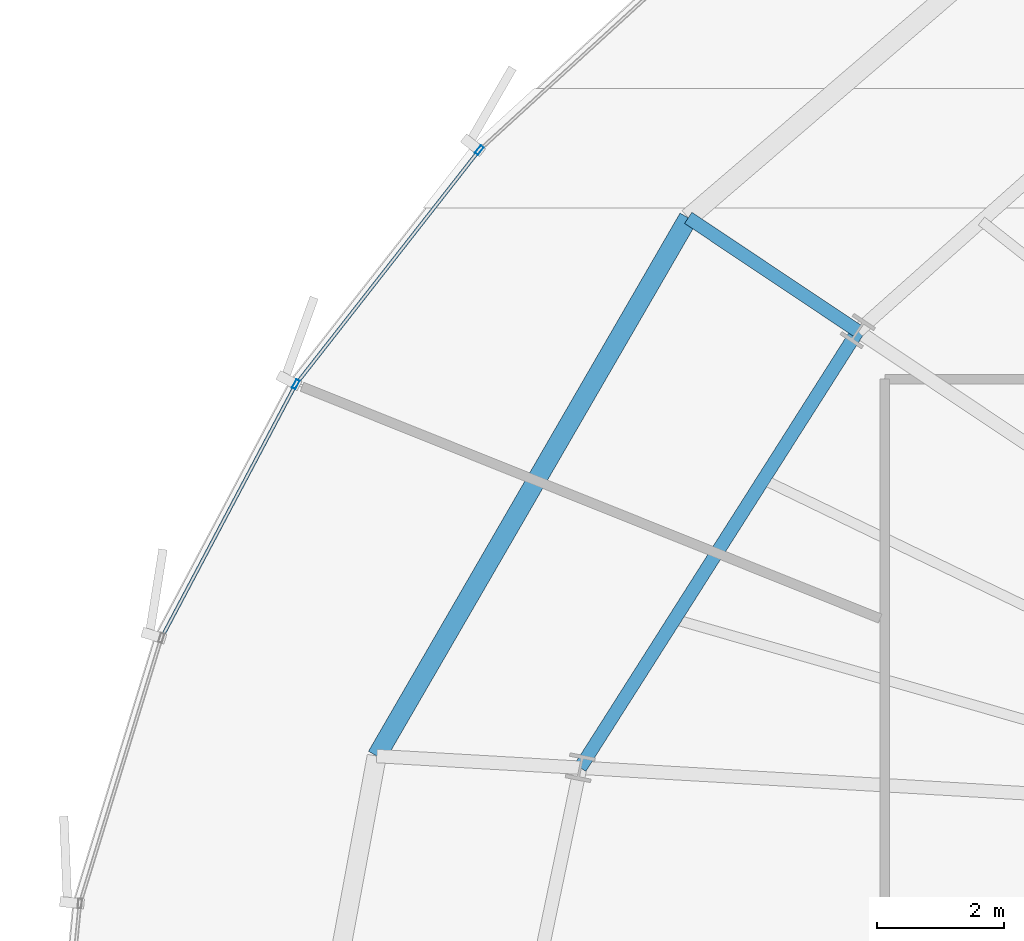
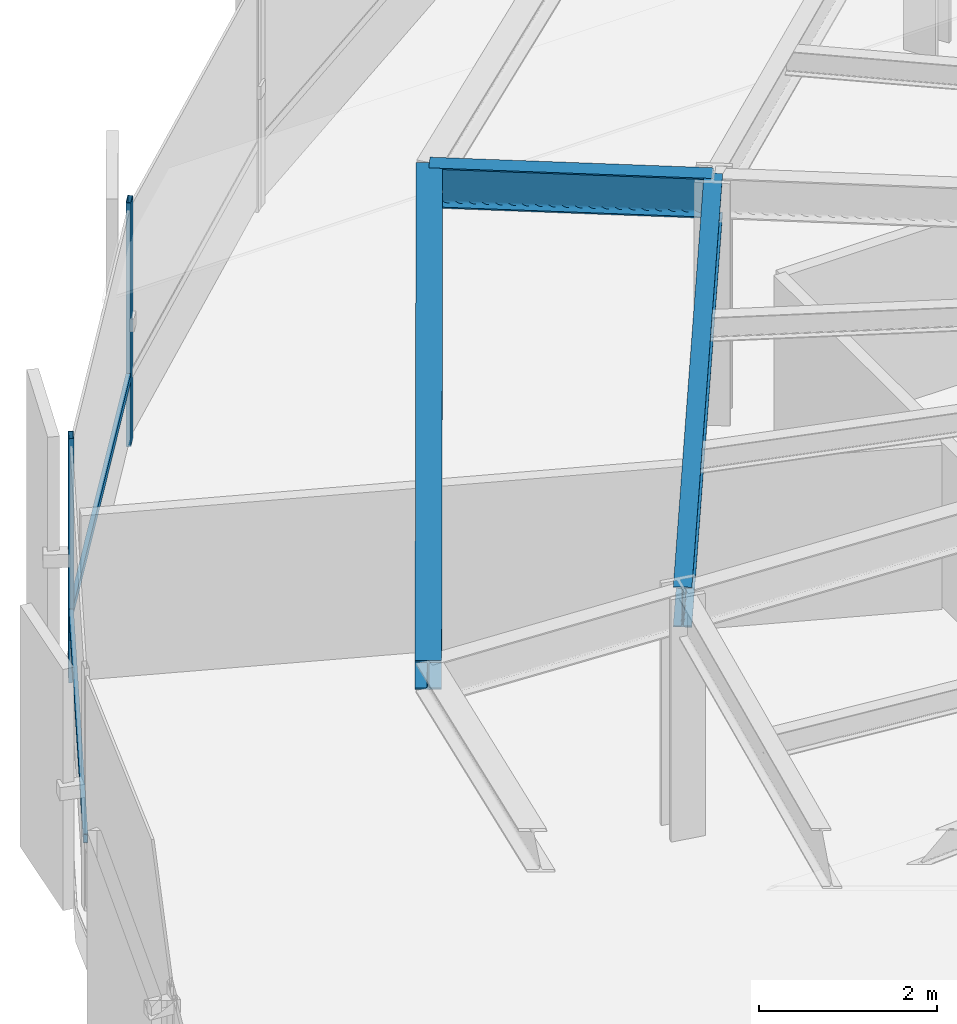
# One storey, part 17 of 35: 4 members, 3 beams, 1 element without a shape of its own.
"""IFC4 building model written with IfcOpenShell, lengths in metres."""

from ifc_helpers import new_model, si_unit, direction, frame, origin, origin_2d, place, context, subcontext, project, spatial, hollow_rectangle, i_section, extrude, source, transform, mapped, material, layer, layer_set, material_profile, profile_set, type_object, element, aggregate, save


model = new_model("IFC4")

# Units and contexts
model_context = context("Model", 3, precision=1e-05, world=origin(), true_north=direction((0.0, 1.0)))
body_context = subcontext(model_context, "Body", "Model", "MODEL_VIEW")
ifc_project = project(units=[si_unit("LENGTHUNIT", "METRE"), si_unit("AREAUNIT", "SQUARE_METRE"), si_unit("VOLUMEUNIT", "CUBIC_METRE"), si_unit("PLANEANGLEUNIT", "RADIAN"), si_unit("MASSUNIT", "GRAM", prefix="KILO"), si_unit("THERMODYNAMICTEMPERATUREUNIT", "KELVIN")], contexts=[model_context])

# Site, building, storey
site_placement = place(None, origin())
site = spatial("IfcSite", under=ifc_project, at=site_placement, CompositionType="ELEMENT")
building_placement = place(site_placement, origin())
building = spatial("IfcBuilding", under=site, at=building_placement, Name="Kethvar Cultural Tower", CompositionType="ELEMENT")
storey_placement = place(building_placement, frame((0.0, 0.0, 85.60009765625)))
storey = spatial("IfcBuildingStorey", under=building, at=storey_placement, Name="L20", CompositionType="ELEMENT", Elevation=85.60009765625)

# Beams
ifc_material_1 = material(Name="Steel S355J2", Category="steel")
ifc_material_profile_1 = material_profile(ifc_material_1, i_section(OverallWidth=0.2099609375, OverallDepth=0.550048828125, WebThickness=0.010986328125, FlangeThickness=0.01708984375, FilletRadius=0.02392578125, at=origin_2d()), Name="Steel S355J2 — IPE550")
ifc_profile_set_1 = profile_set([ifc_material_profile_1], Name="Steel S355J2 — IPE550")
beam_type_1 = type_object("IfcBeamType", Name="BM-IPE550", PredefinedType="BEAM", material=ifc_profile_set_1)
shared_shape_1 = source(origin(), body_context, "Body", "SweptSolid", [
    extrude(i_section(OverallWidth=0.2099609375, OverallDepth=0.550048828125, WebThickness=0.010986328125, FlangeThickness=0.01708984375, FilletRadius=0.02392578125, at=origin_2d()), origin(), (0.0, 0.0, 1.0), 3.199951171875),
])
beam_1_placement = place(storey_placement, frame((30.345947265625, 38.794189453125, 3.072998046875), z_axis=(-0.831462943996, 0.555580212716, 0.0), x_axis=(-0.555580212716, -0.831462943996, 0.0)))
element("IfcBeam", 1, at=beam_1_placement, inside=storey, type_object=beam_type_1, Name="L20 Perimeter Cantilever Beam RC-07", PredefinedType="BEAM", context=body_context, shape_type="MappedRepresentation", body=[
    mapped(shared_shape_1, transform((0.0, 0.0, 0.0), scale=1.0)),
])
shared_shape_2 = source(origin(), body_context, "Body", "SweptSolid", [
    extrude(i_section(OverallWidth=0.2099609375, OverallDepth=0.550048828125, WebThickness=0.010986328125, FlangeThickness=0.01708984375, FilletRadius=0.02392578125, at=origin_2d()), origin(), (0.0, 0.0, 1.0), 8.122314453125),
])
beam_2_placement = place(storey_placement, frame((30.345947265625, 38.794189453125, 3.072998046875), z_axis=(-0.536478664647, -0.843913883272, 0.0), x_axis=(0.843913883272, -0.536478664647, 0.0)))
element("IfcBeam", 2, at=beam_2_placement, inside=storey, type_object=beam_type_1, Name="L20 Column Ring Tie Beam CR-07", PredefinedType="BEAM", context=body_context, shape_type="MappedRepresentation", body=[
    mapped(shared_shape_2, transform((0.0, 0.0, 0.0), scale=1.0)),
])
ifc_material_profile_2 = material_profile(ifc_material_1, i_section(OverallWidth=0.300048828125, OverallDepth=0.39990234375, WebThickness=0.013427734375, FlangeThickness=0.02392578125, FilletRadius=0.027099609375, at=origin_2d()), Name="Steel S355J2 — HEB400")
ifc_profile_set_2 = profile_set([ifc_material_profile_2], Name="Steel S355J2 — HEB400")
beam_type_2 = type_object("IfcBeamType", Name="BM-SP400", PredefinedType="SPANDREL", material=ifc_profile_set_2)
shared_shape_3 = source(origin(), body_context, "Body", "SweptSolid", [
    extrude(i_section(OverallWidth=0.300048828125, OverallDepth=0.39990234375, WebThickness=0.013427734375, FlangeThickness=0.02392578125, FilletRadius=0.027099609375, at=origin_2d()), origin(), (0.0, 0.0, 1.0), 9.762939453125),
])
beam_3_placement = place(storey_placement, frame((27.685302734375, 40.572021484375, 3.14794921875), z_axis=(-0.501043170838, -0.865422290536, 0.0), x_axis=(0.865422290536, -0.501043170838, 0.0)))
element("IfcBeam", 3, at=beam_3_placement, inside=storey, type_object=beam_type_2, Name="L20 Perimeter Spandrel Beam SP-07", PredefinedType="SPANDREL", context=body_context, shape_type="MappedRepresentation", body=[
    mapped(shared_shape_3, transform((0.0, 0.0, 0.0), scale=1.0)),
])

# Curtain wall, members
ifc_material_2 = material(Name="Aluminium 6063-T6", Category="aluminium")
ifc_layer = layer(ifc_material_2, 0.179931640625, Name="Aluminium 6063-T6", Category="aluminium")
ifc_layer_set = layer_set([ifc_layer], Name="Aluminium 6063-T6 (180 mm)")
curtain_wall_type = type_object("IfcCurtainWallType", Name="CW-SYS-03-Z2", PredefinedType="NOTDEFINED", material=ifc_layer_set)
curtain_wall_placement = place(storey_placement, origin())
curtain_wall = element("IfcCurtainWall", 4, at=curtain_wall_placement, inside=storey, type_object=curtain_wall_type, Name="L20 Curtain Wall Run 03", PredefinedType="NOTDEFINED")
ifc_material_profile_3 = material_profile(ifc_material_2, hollow_rectangle(XDim=0.06005859375, YDim=0.14990234375, WallThickness=0.0048828125, at=origin_2d()), Name="Aluminium 6063-T6 — RHS150x60x5")
ifc_profile_set_3 = profile_set([ifc_material_profile_3], Name="Aluminium 6063-T6 — RHS150x60x5")
member_type_1 = type_object("IfcMemberType", Name="CW-SYS-03-Z2-MUL", PredefinedType="MULLION", material=ifc_profile_set_3)
shared_shape_4 = source(origin(), body_context, "Body", "SweptSolid", [
    extrude(hollow_rectangle(XDim=0.06005859375, YDim=0.14990234375, WallThickness=0.0048828125, at=origin_2d()), origin(), (0.0, 0.0, 1.0), 3.349853515625),
])
member_1_placement = place(storey_placement, frame((24.4033203125, 41.63525390625, 0.0), z_axis=(0.0, 0.0, 1.0), x_axis=(0.78739788053, -0.616445113321, 0.0)))
member_1 = element("IfcMember", 5, at=member_1_placement, type_object=member_type_1, Name="CW-L20-R03 Mullion 2", PredefinedType="MULLION", context=body_context, shape_type="MappedRepresentation", body=[
    mapped(shared_shape_4, transform((0.0, 0.0, 0.0), scale=1.0)),
])
member_2_placement = place(storey_placement, frame((21.523681640625, 37.9599609375, 0.0), z_axis=(0.0, 0.0, 1.0), x_axis=(0.883749295718, -0.467960663216, 0.0)))
member_2 = element("IfcMember", 6, at=member_2_placement, type_object=member_type_1, Name="CW-L20-R03 Mullion 3", PredefinedType="MULLION", context=body_context, shape_type="MappedRepresentation", body=[
    mapped(shared_shape_4, transform((0.0, 0.0, 0.0), scale=1.0)),
])
ifc_material_profile_4 = material_profile(ifc_material_2, hollow_rectangle(XDim=0.054931640625, YDim=0.1201171875, WallThickness=0.00390625, at=origin_2d()), Name="Aluminium 6063-T6 — RHS120x55x4")
ifc_profile_set_4 = profile_set([ifc_material_profile_4], Name="Aluminium 6063-T6 — RHS120x55x4")
member_type_2 = type_object("IfcMemberType", Name="CW-SYS-03-Z2-TRN", PredefinedType="USERDEFINED", material=ifc_profile_set_4)
shared_shape_5 = source(origin(), body_context, "Body", "SweptSolid", [
    extrude(hollow_rectangle(XDim=0.054931640625, YDim=0.1201171875, WallThickness=0.00390625, at=origin_2d()), origin(), (0.0, 0.0, 1.0), 4.60302734375),
])
member_3_placement = place(storey_placement, frame((24.376708984375, 41.601318359375, 0.949951171875), z_axis=(-0.616419805358, -0.787417693198, 0.0), x_axis=(0.787417693198, -0.616419805358, 0.0)))
member_3 = element("IfcMember", 7, at=member_3_placement, type_object=member_type_2, Name="CW-L20-R03 Transom 2", ObjectType="TRANSOM", PredefinedType="USERDEFINED", context=body_context, shape_type="MappedRepresentation", body=[
    mapped(shared_shape_5, transform((0.0, 0.0, 0.0), scale=1.0)),
])
shared_shape_6 = source(origin(), body_context, "Body", "SweptSolid", [
    extrude(hollow_rectangle(XDim=0.054931640625, YDim=0.1201171875, WallThickness=0.00390625, at=origin_2d()), origin(), (0.0, 0.0, 1.0), 4.44287109375),
])
member_4_placement = place(storey_placement, frame((21.50341796875, 37.921630859375, 0.949951171875), z_axis=(-0.467973562574, -0.883742465162, 0.0), x_axis=(0.883742465162, -0.467973562574, 0.0)))
member_4 = element("IfcMember", 8, at=member_4_placement, type_object=member_type_2, Name="CW-L20-R03 Transom 3", ObjectType="TRANSOM", PredefinedType="USERDEFINED", context=body_context, shape_type="MappedRepresentation", body=[
    mapped(shared_shape_6, transform((0.0, 0.0, 0.0), scale=1.0)),
])
aggregate(curtain_wall, [member_1, member_2, member_3, member_4])

save(model, "model.ifc")
